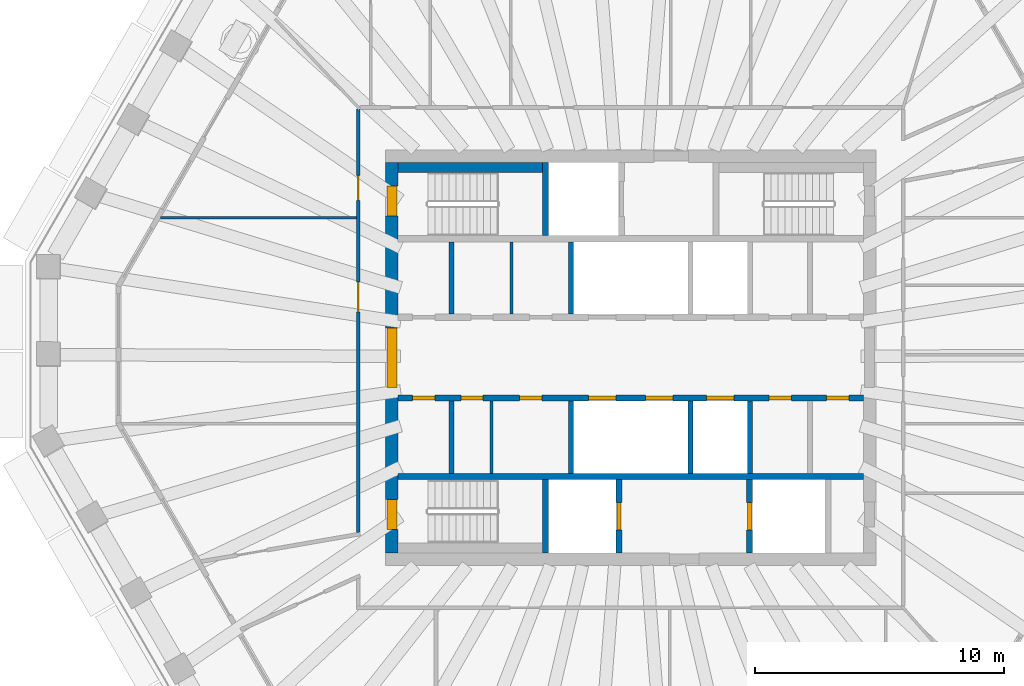
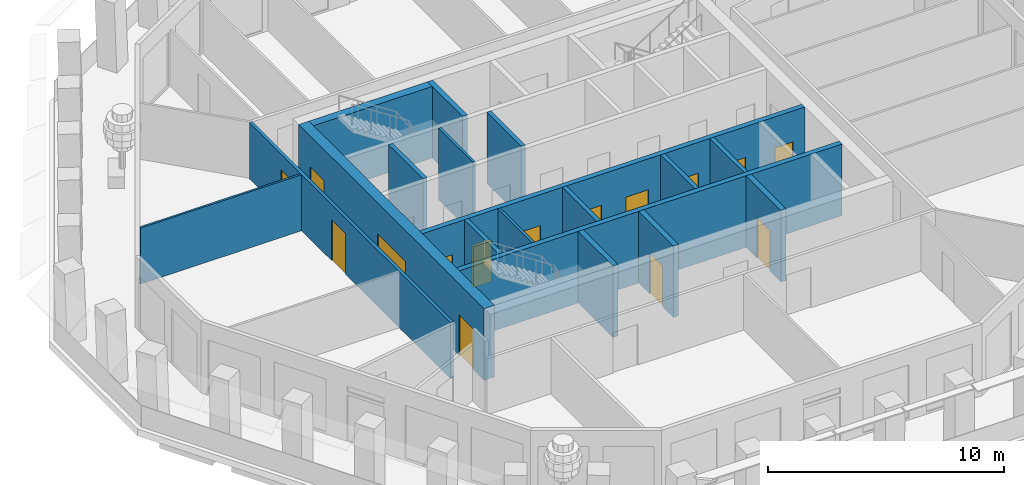
# One storey, part 4 of 12: 18 walls, 15 doors, 15 openings.
"""IFC4 building model written with IfcOpenShell, lengths in metres."""

from ifc_helpers import new_model, si_unit, direction, frame, frame_2d, origin, place, context, subcontext, project, spatial, rectangle, extrude, material, layer, layer_set, type_object, element, fill, save


model = new_model("IFC4")

# Units and contexts
model_context = context("Model", 3, precision=1e-05, world=origin(), true_north=direction((0.0, 1.0)))
body_context = subcontext(model_context, "Body", "Model", "MODEL_VIEW")
ifc_project = project(units=[si_unit("LENGTHUNIT", "METRE"), si_unit("AREAUNIT", "SQUARE_METRE"), si_unit("VOLUMEUNIT", "CUBIC_METRE"), si_unit("PLANEANGLEUNIT", "RADIAN"), si_unit("MASSUNIT", "GRAM", prefix="KILO")], contexts=[model_context])

# Site, building, storey
site_placement = place(None, origin())
site = spatial("IfcSite", under=ifc_project, at=site_placement, CompositionType="ELEMENT")
building_placement = place(site_placement, origin())
building = spatial("IfcBuilding", under=site, at=building_placement, Name="Frailejon Research Tower", CompositionType="ELEMENT")
storey_placement = place(building_placement, frame((0.0, 0.0, 267.0)))
storey = spatial("IfcBuildingStorey", under=building, at=storey_placement, Name="L58", CompositionType="ELEMENT", Elevation=267.0)

# Walls
ifc_material_1 = material(Name="Plasterboard on steel studs", Category="steel")
ifc_layer_1 = layer(ifc_material_1, 0.125)
ifc_layer_set_1 = layer_set([ifc_layer_1], Name="Core partition 125")
wall_type_1 = type_object("IfcWallType", Name="Core partition 125", PredefinedType="PARTITIONING", material=ifc_layer_set_1)
for number, where, z_axis, x_axis, name in (
    (1, (-4.800048828125, 1.75, 0.0), (0.0, 0.0, 1.0), (0.0, 1.0, 0.0), "Core partition"),
    (2, (-5.60009765625, -4.64990234375, 0.0), (0.0, 0.0, 1.0), (0.0, 1.0, 0.0), "Core partition"),
):
    element("IfcWall", number, at=place(storey_placement, frame(where, z_axis=z_axis, x_axis=x_axis)), inside=storey, type_object=wall_type_1, Name=name, PredefinedType="PARTITIONING", context=body_context, shape_type="SweptSolid", body=[
        extrude(rectangle(XDim=2.89990234375, YDim=0.125, at=frame_2d((1.449951171875, 0.0))), origin(), (0.0, 0.0, 1.0), 3.699951171875),
    ])

# Wall, openings, doors
ifc_material_2 = material(Name="Concrete C50/60", Category="concrete")
ifc_layer_2 = layer(ifc_material_2, 0.5)
ifc_layer_set_2 = layer_set([ifc_layer_2], Name="Core shear wall 500 C50/60")
wall_type_2 = type_object("IfcWallType", Name="Core shear wall 500 C50/60", PredefinedType="SHEAR", material=ifc_layer_set_2)
wall_1_placement = place(storey_placement, frame((-9.60009765625, -7.85009765625, 0.0), z_axis=(0.0, 0.0, 1.0), x_axis=(0.0, 1.0, 0.0)))
wall_1 = element("IfcWall", 3, at=wall_1_placement, inside=storey, type_object=wall_type_2, Name="Core shear wall", PredefinedType="SHEAR", context=body_context, shape_type="SweptSolid", body=[
    extrude(rectangle(XDim=15.7001953125, YDim=0.5, at=frame_2d((7.85009765625, 0.0))), origin(), (0.0, 0.0, 1.0), 3.699951171875),
])
opening_1_placement = place(wall_1_placement, frame((6.64990234375, 0.0, 0.0)))
opening_1 = element("IfcOpeningElement", 4, at=opening_1_placement, cuts=wall_1, Name="Opening D2", PredefinedType="OPENING", context=body_context, shape_type="SweptSolid", body=[
    extrude(rectangle(XDim=2.39990234375, YDim=2.10009765625, at=frame_2d((1.199951171875, 1.050048828125))), frame((0.0, 0.260009765625, 0.0), z_axis=(0.0, -1.0, 0.0), x_axis=(1.0, 0.0, 0.0)), (0.0, 0.0, 1.0), 0.52001953125),
])
opening_2_placement = place(wall_1_placement, frame((13.550048828125, 0.0, 0.0)))
opening_2 = element("IfcOpeningElement", 5, at=opening_2_placement, cuts=wall_1, Name="Opening D1", PredefinedType="OPENING", context=body_context, shape_type="SweptSolid", body=[
    extrude(rectangle(XDim=1.199951171875, YDim=2.10009765625, at=frame_2d((0.60009765625, 1.050048828125))), frame((0.0, 0.260009765625, 0.0), z_axis=(0.0, -1.0, 0.0), x_axis=(1.0, 0.0, 0.0)), (0.0, 0.0, 1.0), 0.52001953125),
])
opening_3_placement = place(wall_1_placement, frame((0.949951171875, 0.0, 0.0)))
opening_3 = element("IfcOpeningElement", 6, at=opening_3_placement, cuts=wall_1, Name="Opening D1", PredefinedType="OPENING", context=body_context, shape_type="SweptSolid", body=[
    extrude(rectangle(XDim=1.199951171875, YDim=2.10009765625, at=frame_2d((0.60009765625, 1.050048828125))), frame((0.0, 0.260009765625, 0.0), z_axis=(0.0, -1.0, 0.0), x_axis=(1.0, 0.0, 0.0)), (0.0, 0.0, 1.0), 0.52001953125),
])
ifc_material_3 = material(Name="Steel", Category="steel")
door_type_1 = type_object("IfcDoorType", Name="Lobby double door", OperationType="DOUBLE_DOOR_SINGLE_SWING", PredefinedType="DOOR", material=ifc_material_3)
door_1_placement = place(opening_1_placement, origin())
door_1 = element("IfcDoor", 7, at=door_1_placement, inside=storey, type_object=door_type_1, Name="Lobby door", OperationType="DOUBLE_DOOR_SINGLE_SWING", OverallHeight=2.10009765625, OverallWidth=2.39990234375, PredefinedType="DOOR", context=body_context, shape_type="SweptSolid", body=[
    extrude(rectangle(XDim=2.39990234375, YDim=2.10009765625, at=frame_2d((1.199951171875, 1.050048828125))), frame((0.0, 0.199951171875, 0.0), z_axis=(0.0, -1.0, 0.0), x_axis=(1.0, 0.0, 0.0)), (0.0, 0.0, 1.0), 0.39990234375),
])
fill(opening_1, door_1)
ifc_material_4 = material(Name="Steel", Category="steel")
door_type_2 = type_object("IfcDoorType", Name="Stair door", OperationType="SINGLE_SWING_LEFT", PredefinedType="DOOR", material=ifc_material_4)
door_2_placement = place(opening_2_placement, origin())
door_2 = element("IfcDoor", 8, at=door_2_placement, inside=storey, type_object=door_type_2, Name="Stair door ST1", OperationType="SINGLE_SWING_RIGHT", OverallHeight=2.10009765625, OverallWidth=1.199951171875, PredefinedType="DOOR", context=body_context, shape_type="SweptSolid", body=[
    extrude(rectangle(XDim=1.199951171875, YDim=2.10009765625, at=frame_2d((0.60009765625, 1.050048828125))), frame((0.0, 0.199951171875, 0.0), z_axis=(0.0, -1.0, 0.0), x_axis=(1.0, 0.0, 0.0)), (0.0, 0.0, 1.0), 0.39990234375),
])
fill(opening_2, door_2)
door_3_placement = place(opening_3_placement, origin())
door_3 = element("IfcDoor", 9, at=door_3_placement, inside=storey, type_object=door_type_2, Name="Stair door ST2", OperationType="SINGLE_SWING_LEFT", OverallHeight=2.10009765625, OverallWidth=1.199951171875, PredefinedType="DOOR", context=body_context, shape_type="SweptSolid", body=[
    extrude(rectangle(XDim=1.199951171875, YDim=2.10009765625, at=frame_2d((0.60009765625, 1.050048828125))), frame((0.0, 0.199951171875, 0.0), z_axis=(0.0, -1.0, 0.0), x_axis=(1.0, 0.0, 0.0)), (0.0, 0.0, 1.0), 0.39990234375),
])
fill(opening_3, door_3)

ifc_material_5 = material(Name="Gypsum board and masonry partition", Category="masonry")
ifc_layer_3 = layer(ifc_material_5, 0.14990234375)
ifc_layer_set_3 = layer_set([ifc_layer_3], Name="Corridor wall EI 60, gypsum on steel studs 150")
wall_type_3 = type_object("IfcWallType", Name="Corridor wall EI 60, gypsum on steel studs 150", PredefinedType="PARTITIONING", material=ifc_layer_set_3)
wall_2_placement = place(storey_placement, frame((-10.949951171875, -7.02490234375, 0.0), z_axis=(0.0, 0.0, 1.0), x_axis=(0.0, 1.0, 0.0)))
wall_2 = element("IfcWall", 10, at=wall_2_placement, inside=storey, type_object=wall_type_3, Name="T:IW:L58:007", PredefinedType="PARTITIONING", context=body_context, shape_type="SweptSolid", body=[
    extrude(rectangle(XDim=17.02490234375, YDim=0.14990234375, at=frame_2d((8.512451171875, 0.0))), origin(), (0.0, 0.0, 1.0), 2.89990234375),
])
opening_4_placement = place(wall_2_placement, frame((13.347412109375, 0.0, 0.0)))
opening_4 = element("IfcOpeningElement", 11, at=opening_4_placement, cuts=wall_2, Name="Opening D2121", PredefinedType="OPENING", context=body_context, shape_type="SweptSolid", body=[
    extrude(rectangle(XDim=1.0, YDim=2.10009765625, at=frame_2d((0.5, 1.050048828125))), frame((0.0, 0.0849609375, 0.0), z_axis=(0.0, -1.0, 0.0), x_axis=(1.0, 0.0, 0.0)), (0.0, 0.0, 1.0), 0.169921875),
])
opening_5_placement = place(wall_2_placement, frame((8.863037109375, 0.0, 0.0)))
opening_5 = element("IfcOpeningElement", 12, at=opening_5_placement, cuts=wall_2, Name="Opening D2122", PredefinedType="OPENING", context=body_context, shape_type="SweptSolid", body=[
    extrude(rectangle(XDim=1.199951171875, YDim=2.10009765625, at=frame_2d((0.60009765625, 1.050048828125))), frame((0.0, 0.0849609375, 0.0), z_axis=(0.0, -1.0, 0.0), x_axis=(1.0, 0.0, 0.0)), (0.0, 0.0, 1.0), 0.169921875),
])
ifc_material_6 = material(Name="Timber door leaf", Category="wood")
door_type_3 = type_object("IfcDoorType", Name="Door single leaf, timber, steel frame 1000", OperationType="NOTDEFINED", PredefinedType="DOOR", material=ifc_material_6)
door_4_placement = place(opening_4_placement, origin())
door_4 = element("IfcDoor", 13, at=door_4_placement, inside=storey, type_object=door_type_3, Name="D2121", OperationType="SINGLE_SWING_LEFT", OverallHeight=2.10009765625, OverallWidth=1.0, PredefinedType="DOOR", context=body_context, shape_type="SweptSolid", body=[
    extrude(rectangle(XDim=1.0, YDim=2.10009765625, at=frame_2d((0.5, 1.050048828125))), frame((0.0, 0.02490234375, 0.0), z_axis=(0.0, -1.0, 0.0), x_axis=(1.0, 0.0, 0.0)), (0.0, 0.0, 1.0), 0.050048828125),
])
fill(opening_4, door_4)
ifc_material_7 = material(Name="Timber door leaf", Category="wood")
door_type_4 = type_object("IfcDoorType", Name="Door single leaf, timber, steel frame 1200", OperationType="NOTDEFINED", PredefinedType="DOOR", material=ifc_material_7)
door_5_placement = place(opening_5_placement, origin())
door_5 = element("IfcDoor", 14, at=door_5_placement, inside=storey, type_object=door_type_4, Name="D2122", OperationType="DOUBLE_DOOR_SINGLE_SWING", OverallHeight=2.10009765625, OverallWidth=1.199951171875, PredefinedType="DOOR", context=body_context, shape_type="SweptSolid", body=[
    extrude(rectangle(XDim=1.199951171875, YDim=2.10009765625, at=frame_2d((0.60009765625, 1.050048828125))), frame((0.0, 0.02490234375, 0.0), z_axis=(0.0, -1.0, 0.0), x_axis=(1.0, 0.0, 0.0)), (0.0, 0.0, 1.0), 0.050048828125),
])
fill(opening_5, door_5)

# Walls
ifc_material_8 = material(Name="Gypsum board and masonry partition", Category="masonry")
ifc_layer_4 = layer(ifc_material_8, 0.10009765625)
ifc_layer_set_4 = layer_set([ifc_layer_4], Name="Partition, gypsum on steel studs 100")
wall_type_4 = type_object("IfcWallType", Name="Partition, gypsum on steel studs 100", PredefinedType="PARTITIONING", material=ifc_layer_set_4)
wall_3_placement = place(storey_placement, frame((-18.898681640625, 5.61767578125, 0.0), z_axis=(0.0, 0.0, 1.0), x_axis=(1.0, 0.0, 0.0)))
element("IfcWall", 15, at=wall_3_placement, inside=storey, type_object=wall_type_4, Name="T:IW:L58:014", PredefinedType="PARTITIONING", context=body_context, shape_type="SweptSolid", body=[
    extrude(rectangle(XDim=7.873779296875, YDim=0.10009765625, at=frame_2d((3.93701171875, 0.0))), origin(), (0.0, 0.0, 1.0), 2.89990234375),
])
ifc_material_9 = material(Name="Concrete C50/60", Category="concrete")
ifc_layer_5 = layer(ifc_material_9, 0.199951171875)
ifc_layer_set_5 = layer_set([ifc_layer_5], Name="Shaft wall 200 C50/60")
wall_type_5 = type_object("IfcWallType", Name="Shaft wall 200 C50/60", PredefinedType="SOLIDWALL", material=ifc_layer_set_5)
for number, where, z_axis, x_axis, name in (
    (16, (-7.199951171875, 1.75, 0.0), (0.0, 0.0, 1.0), (0.0, 1.0, 0.0), "Shaft wall"),
    (17, (-2.39990234375, 1.75, 0.0), (0.0, 0.0, 1.0), (0.0, 1.0, 0.0), "Shaft wall"),
    (18, (-7.199951171875, -4.64990234375, 0.0), (0.0, 0.0, 1.0), (0.0, 1.0, 0.0), "Shaft wall"),
    (19, (-2.39990234375, -4.64990234375, 0.0), (0.0, 0.0, 1.0), (0.0, 1.0, 0.0), "Shaft wall"),
    (20, (2.39990234375, -4.64990234375, 0.0), (0.0, 0.0, 1.0), (0.0, 1.0, 0.0), "Shaft wall"),
    (21, (4.800048828125, -4.64990234375, 0.0), (0.0, 0.0, 1.0), (0.0, 1.0, 0.0), "Shaft wall"),
):
    element("IfcWall", number, at=place(storey_placement, frame(where, z_axis=z_axis, x_axis=x_axis)), inside=storey, type_object=wall_type_5, Name=name, PredefinedType="SOLIDWALL", context=body_context, shape_type="SweptSolid", body=[
        extrude(rectangle(XDim=2.89990234375, YDim=0.199951171875, at=frame_2d((1.449951171875, 0.0))), origin(), (0.0, 0.0, 1.0), 3.699951171875),
    ])

# Wall, openings, doors
ifc_material_10 = material(Name="Concrete C50/60", Category="concrete")
ifc_layer_6 = layer(ifc_material_10, 0.25)
ifc_layer_set_6 = layer_set([ifc_layer_6], Name="Shaft wall 250 C50/60")
wall_type_6 = type_object("IfcWallType", Name="Shaft wall 250 C50/60", PredefinedType="SOLIDWALL", material=ifc_layer_set_6)
wall_4_placement = place(storey_placement, frame((-9.35009765625, -1.625, 0.0), z_axis=(0.0, 0.0, 1.0), x_axis=(1.0, 0.0, 0.0)))
wall_4 = element("IfcWall", 22, at=wall_4_placement, inside=storey, type_object=wall_type_6, Name="Shaft wall", PredefinedType="SOLIDWALL", context=body_context, shape_type="SweptSolid", body=[
    extrude(rectangle(XDim=18.7001953125, YDim=0.25, at=frame_2d((9.35009765625, 0.0))), origin(), (0.0, 0.0, 1.0), 3.699951171875),
])
opening_6_placement = place(wall_4_placement, frame((7.64990234375, 0.0, 0.0)))
opening_6 = element("IfcOpeningElement", 23, at=opening_6_placement, cuts=wall_4, Name="Opening LD", PredefinedType="OPENING", context=body_context, shape_type="SweptSolid", body=[
    extrude(rectangle(XDim=1.10009765625, YDim=2.10009765625, at=frame_2d((0.550048828125, 1.050048828125))), frame((0.0, 0.135009765625, 0.0), z_axis=(0.0, -1.0, 0.0), x_axis=(1.0, 0.0, 0.0)), (0.0, 0.0, 1.0), 0.27001953125),
])
opening_7_placement = place(wall_4_placement, frame((9.949951171875, 0.0, 0.0)))
opening_7 = element("IfcOpeningElement", 24, at=opening_7_placement, cuts=wall_4, Name="Opening LD", PredefinedType="OPENING", context=body_context, shape_type="SweptSolid", body=[
    extrude(rectangle(XDim=1.10009765625, YDim=2.10009765625, at=frame_2d((0.550048828125, 1.050048828125))), frame((0.0, 0.135009765625, 0.0), z_axis=(0.0, -1.0, 0.0), x_axis=(1.0, 0.0, 0.0)), (0.0, 0.0, 1.0), 0.27001953125),
])
opening_8_placement = place(wall_4_placement, frame((12.39990234375, 0.0, 0.0)))
opening_8 = element("IfcOpeningElement", 25, at=opening_8_placement, cuts=wall_4, Name="Opening LD", PredefinedType="OPENING", context=body_context, shape_type="SweptSolid", body=[
    extrude(rectangle(XDim=1.10009765625, YDim=2.10009765625, at=frame_2d((0.550048828125, 1.050048828125))), frame((0.0, 0.135009765625, 0.0), z_axis=(0.0, -1.0, 0.0), x_axis=(1.0, 0.0, 0.0)), (0.0, 0.0, 1.0), 0.27001953125),
])
opening_9_placement = place(wall_4_placement, frame((0.574951171875, 0.0, 0.0)))
opening_9 = element("IfcOpeningElement", 26, at=opening_9_placement, cuts=wall_4, Name="Opening D8", PredefinedType="OPENING", context=body_context, shape_type="SweptSolid", body=[
    extrude(rectangle(XDim=0.89990234375, YDim=2.10009765625, at=frame_2d((0.449951171875, 1.050048828125))), frame((0.0, 0.135009765625, 0.0), z_axis=(0.0, -1.0, 0.0), x_axis=(1.0, 0.0, 0.0)), (0.0, 0.0, 1.0), 0.27001953125),
])
opening_10_placement = place(wall_4_placement, frame((2.518798828125, 0.0, 0.0)))
opening_10 = element("IfcOpeningElement", 27, at=opening_10_placement, cuts=wall_4, Name="Opening D8", PredefinedType="OPENING", context=body_context, shape_type="SweptSolid", body=[
    extrude(rectangle(XDim=0.89990234375, YDim=2.10009765625, at=frame_2d((0.449951171875, 1.050048828125))), frame((0.0, 0.135009765625, 0.0), z_axis=(0.0, -1.0, 0.0), x_axis=(1.0, 0.0, 0.0)), (0.0, 0.0, 1.0), 0.27001953125),
])
opening_11_placement = place(wall_4_placement, frame((4.881103515625, 0.0, 0.0)))
opening_11 = element("IfcOpeningElement", 28, at=opening_11_placement, cuts=wall_4, Name="Opening D8", PredefinedType="OPENING", context=body_context, shape_type="SweptSolid", body=[
    extrude(rectangle(XDim=0.89990234375, YDim=2.10009765625, at=frame_2d((0.449951171875, 1.050048828125))), frame((0.0, 0.135009765625, 0.0), z_axis=(0.0, -1.0, 0.0), x_axis=(1.0, 0.0, 0.0)), (0.0, 0.0, 1.0), 0.27001953125),
])
opening_12_placement = place(wall_4_placement, frame((14.89990234375, 0.0, 0.0)))
opening_12 = element("IfcOpeningElement", 29, at=opening_12_placement, cuts=wall_4, Name="Opening D8", PredefinedType="OPENING", context=body_context, shape_type="SweptSolid", body=[
    extrude(rectangle(XDim=0.89990234375, YDim=2.10009765625, at=frame_2d((0.449951171875, 1.050048828125))), frame((0.0, 0.135009765625, 0.0), z_axis=(0.0, -1.0, 0.0), x_axis=(1.0, 0.0, 0.0)), (0.0, 0.0, 1.0), 0.27001953125),
])
opening_13_placement = place(wall_4_placement, frame((17.22509765625, 0.0, 0.0)))
opening_13 = element("IfcOpeningElement", 30, at=opening_13_placement, cuts=wall_4, Name="Opening D8", PredefinedType="OPENING", context=body_context, shape_type="SweptSolid", body=[
    extrude(rectangle(XDim=0.89990234375, YDim=2.10009765625, at=frame_2d((0.449951171875, 1.050048828125))), frame((0.0, 0.135009765625, 0.0), z_axis=(0.0, -1.0, 0.0), x_axis=(1.0, 0.0, 0.0)), (0.0, 0.0, 1.0), 0.27001953125),
])
ifc_material_11 = material(Name="Steel", Category="steel")
door_type_5 = type_object("IfcDoorType", Name="Core room door", OperationType="SINGLE_SWING_LEFT", PredefinedType="DOOR", material=ifc_material_11)
door_6_placement = place(opening_9_placement, origin())
door_6 = element("IfcDoor", 31, at=door_6_placement, inside=storey, type_object=door_type_5, Name="Room door", OperationType="SINGLE_SWING_LEFT", OverallHeight=2.10009765625, OverallWidth=0.89990234375, PredefinedType="DOOR", context=body_context, shape_type="SweptSolid", body=[
    extrude(rectangle(XDim=0.89990234375, YDim=2.10009765625, at=frame_2d((0.449951171875, 1.050048828125))), frame((0.0, 0.074951171875, 0.0), z_axis=(0.0, -1.0, 0.0), x_axis=(1.0, 0.0, 0.0)), (0.0, 0.0, 1.0), 0.14990234375),
])
fill(opening_9, door_6)
door_7_placement = place(opening_10_placement, origin())
door_7 = element("IfcDoor", 32, at=door_7_placement, inside=storey, type_object=door_type_5, Name="Room door", OperationType="SINGLE_SWING_RIGHT", OverallHeight=2.10009765625, OverallWidth=0.89990234375, PredefinedType="DOOR", context=body_context, shape_type="SweptSolid", body=[
    extrude(rectangle(XDim=0.89990234375, YDim=2.10009765625, at=frame_2d((0.449951171875, 1.050048828125))), frame((0.0, 0.074951171875, 0.0), z_axis=(0.0, -1.0, 0.0), x_axis=(1.0, 0.0, 0.0)), (0.0, 0.0, 1.0), 0.14990234375),
])
fill(opening_10, door_7)
door_8_placement = place(opening_11_placement, origin())
door_8 = element("IfcDoor", 33, at=door_8_placement, inside=storey, type_object=door_type_5, Name="Room door", OperationType="SINGLE_SWING_LEFT", OverallHeight=2.10009765625, OverallWidth=0.89990234375, PredefinedType="DOOR", context=body_context, shape_type="SweptSolid", body=[
    extrude(rectangle(XDim=0.89990234375, YDim=2.10009765625, at=frame_2d((0.449951171875, 1.050048828125))), frame((0.0, 0.074951171875, 0.0), z_axis=(0.0, -1.0, 0.0), x_axis=(1.0, 0.0, 0.0)), (0.0, 0.0, 1.0), 0.14990234375),
])
fill(opening_11, door_8)
door_9_placement = place(opening_12_placement, origin())
door_9 = element("IfcDoor", 34, at=door_9_placement, inside=storey, type_object=door_type_5, Name="Room door", OperationType="SINGLE_SWING_RIGHT", OverallHeight=2.10009765625, OverallWidth=0.89990234375, PredefinedType="DOOR", context=body_context, shape_type="SweptSolid", body=[
    extrude(rectangle(XDim=0.89990234375, YDim=2.10009765625, at=frame_2d((0.449951171875, 1.050048828125))), frame((0.0, 0.074951171875, 0.0), z_axis=(0.0, -1.0, 0.0), x_axis=(1.0, 0.0, 0.0)), (0.0, 0.0, 1.0), 0.14990234375),
])
fill(opening_12, door_9)
door_10_placement = place(opening_13_placement, origin())
door_10 = element("IfcDoor", 35, at=door_10_placement, inside=storey, type_object=door_type_5, Name="Room door", OperationType="SINGLE_SWING_LEFT", OverallHeight=2.10009765625, OverallWidth=0.89990234375, PredefinedType="DOOR", context=body_context, shape_type="SweptSolid", body=[
    extrude(rectangle(XDim=0.89990234375, YDim=2.10009765625, at=frame_2d((0.449951171875, 1.050048828125))), frame((0.0, 0.074951171875, 0.0), z_axis=(0.0, -1.0, 0.0), x_axis=(1.0, 0.0, 0.0)), (0.0, 0.0, 1.0), 0.14990234375),
])
fill(opening_13, door_10)
ifc_material_12 = material(Name="Steel", Category="steel")
door_type_6 = type_object("IfcDoorType", Name="Lift landing door", OperationType="DOUBLE_DOOR_SLIDING", PredefinedType="DOOR", material=ifc_material_12)
door_11_placement = place(opening_6_placement, origin())
door_11 = element("IfcDoor", 36, at=door_11_placement, inside=storey, type_object=door_type_6, Name="Lift landing door", OperationType="DOUBLE_DOOR_SLIDING", OverallHeight=2.10009765625, OverallWidth=1.10009765625, PredefinedType="DOOR", context=body_context, shape_type="SweptSolid", body=[
    extrude(rectangle(XDim=1.10009765625, YDim=2.10009765625, at=frame_2d((0.550048828125, 1.050048828125))), frame((0.0, 0.074951171875, 0.0), z_axis=(0.0, -1.0, 0.0), x_axis=(1.0, 0.0, 0.0)), (0.0, 0.0, 1.0), 0.14990234375),
])
fill(opening_6, door_11)
door_12_placement = place(opening_7_placement, origin())
door_12 = element("IfcDoor", 37, at=door_12_placement, inside=storey, type_object=door_type_6, Name="Lift landing door", OperationType="DOUBLE_DOOR_SLIDING", OverallHeight=2.10009765625, OverallWidth=1.10009765625, PredefinedType="DOOR", context=body_context, shape_type="SweptSolid", body=[
    extrude(rectangle(XDim=1.10009765625, YDim=2.10009765625, at=frame_2d((0.550048828125, 1.050048828125))), frame((0.0, 0.074951171875, 0.0), z_axis=(0.0, -1.0, 0.0), x_axis=(1.0, 0.0, 0.0)), (0.0, 0.0, 1.0), 0.14990234375),
])
fill(opening_7, door_12)
door_13_placement = place(opening_8_placement, origin())
door_13 = element("IfcDoor", 38, at=door_13_placement, inside=storey, type_object=door_type_6, Name="Lift landing door", OperationType="DOUBLE_DOOR_SLIDING", OverallHeight=2.10009765625, OverallWidth=1.10009765625, PredefinedType="DOOR", context=body_context, shape_type="SweptSolid", body=[
    extrude(rectangle(XDim=1.10009765625, YDim=2.10009765625, at=frame_2d((0.550048828125, 1.050048828125))), frame((0.0, 0.074951171875, 0.0), z_axis=(0.0, -1.0, 0.0), x_axis=(1.0, 0.0, 0.0)), (0.0, 0.0, 1.0), 0.14990234375),
])
fill(opening_8, door_13)

# Walls
wall_5_placement = place(storey_placement, frame((-9.35009765625, -4.77490234375, 0.0), z_axis=(0.0, 0.0, 1.0), x_axis=(1.0, 0.0, 0.0)))
element("IfcWall", 39, at=wall_5_placement, inside=storey, type_object=wall_type_6, Name="Shaft wall", PredefinedType="SOLIDWALL", context=body_context, shape_type="SweptSolid", body=[
    extrude(rectangle(XDim=18.7001953125, YDim=0.25, at=frame_2d((9.35009765625, 0.0))), origin(), (0.0, 0.0, 1.0), 3.699951171875),
])
for number, where, z_axis, x_axis, name in (
    (40, (-3.425048828125, 4.89990234375, 0.0), (0.0, 0.0, 1.0), (0.0, 1.0, 0.0), "Shaft wall"),
    (41, (-3.425048828125, -7.85009765625, 0.0), (0.0, 0.0, 1.0), (0.0, 1.0, 0.0), "Shaft wall"),
):
    element("IfcWall", number, at=place(storey_placement, frame(where, z_axis=z_axis, x_axis=x_axis)), inside=storey, type_object=wall_type_6, Name=name, PredefinedType="SOLIDWALL", context=body_context, shape_type="SweptSolid", body=[
        extrude(rectangle(XDim=2.9501953125, YDim=0.25, at=frame_2d((1.47509765625, 0.0))), origin(), (0.0, 0.0, 1.0), 3.699951171875),
    ])

# Wall, opening, door
wall_6_placement = place(storey_placement, frame((-0.47509765625, -7.85009765625, 0.0), z_axis=(0.0, 0.0, 1.0), x_axis=(0.0, 1.0, 0.0)))
wall_6 = element("IfcWall", 42, at=wall_6_placement, inside=storey, type_object=wall_type_6, Name="Shaft wall", PredefinedType="SOLIDWALL", context=body_context, shape_type="SweptSolid", body=[
    extrude(rectangle(XDim=2.9501953125, YDim=0.25, at=frame_2d((1.47509765625, 0.0))), origin(), (0.0, 0.0, 1.0), 3.699951171875),
])
opening_14_placement = place(wall_6_placement, frame((0.925048828125, 0.0, 0.0)))
opening_14 = element("IfcOpeningElement", 43, at=opening_14_placement, cuts=wall_6, Name="Opening LD", PredefinedType="OPENING", context=body_context, shape_type="SweptSolid", body=[
    extrude(rectangle(XDim=1.10009765625, YDim=2.10009765625, at=frame_2d((0.550048828125, 1.050048828125))), frame((0.0, 0.135009765625, 0.0), z_axis=(0.0, -1.0, 0.0), x_axis=(1.0, 0.0, 0.0)), (0.0, 0.0, 1.0), 0.27001953125),
])
door_14_placement = place(opening_14_placement, origin())
door_14 = element("IfcDoor", 44, at=door_14_placement, inside=storey, type_object=door_type_6, Name="Lift landing door", OperationType="DOUBLE_DOOR_SLIDING", OverallHeight=2.10009765625, OverallWidth=1.10009765625, PredefinedType="DOOR", context=body_context, shape_type="SweptSolid", body=[
    extrude(rectangle(XDim=1.10009765625, YDim=2.10009765625, at=frame_2d((0.550048828125, 1.050048828125))), frame((0.0, 0.074951171875, 0.0), z_axis=(0.0, -1.0, 0.0), x_axis=(1.0, 0.0, 0.0)), (0.0, 0.0, 1.0), 0.14990234375),
])
fill(opening_14, door_14)

wall_7_placement = place(storey_placement, frame((4.77490234375, -7.85009765625, 0.0), z_axis=(0.0, 0.0, 1.0), x_axis=(0.0, 1.0, 0.0)))
wall_7 = element("IfcWall", 45, at=wall_7_placement, inside=storey, type_object=wall_type_6, Name="Shaft wall", PredefinedType="SOLIDWALL", context=body_context, shape_type="SweptSolid", body=[
    extrude(rectangle(XDim=2.9501953125, YDim=0.25, at=frame_2d((1.47509765625, 0.0))), origin(), (0.0, 0.0, 1.0), 3.699951171875),
])
opening_15_placement = place(wall_7_placement, frame((0.925048828125, 0.0, 0.0)))
opening_15 = element("IfcOpeningElement", 46, at=opening_15_placement, cuts=wall_7, Name="Opening LD", PredefinedType="OPENING", context=body_context, shape_type="SweptSolid", body=[
    extrude(rectangle(XDim=1.10009765625, YDim=2.10009765625, at=frame_2d((0.550048828125, 1.050048828125))), frame((0.0, 0.135009765625, 0.0), z_axis=(0.0, -1.0, 0.0), x_axis=(1.0, 0.0, 0.0)), (0.0, 0.0, 1.0), 0.27001953125),
])
door_15_placement = place(opening_15_placement, origin())
door_15 = element("IfcDoor", 47, at=door_15_placement, inside=storey, type_object=door_type_6, Name="Lift landing door", OperationType="DOUBLE_DOOR_SLIDING", OverallHeight=2.10009765625, OverallWidth=1.10009765625, PredefinedType="DOOR", context=body_context, shape_type="SweptSolid", body=[
    extrude(rectangle(XDim=1.10009765625, YDim=2.10009765625, at=frame_2d((0.550048828125, 1.050048828125))), frame((0.0, 0.074951171875, 0.0), z_axis=(0.0, -1.0, 0.0), x_axis=(1.0, 0.0, 0.0)), (0.0, 0.0, 1.0), 0.14990234375),
])
fill(opening_15, door_15)

# Wall
ifc_material_13 = material(Name="Concrete C50/60", Category="concrete")
ifc_layer_7 = layer(ifc_material_13, 0.39990234375)
ifc_layer_set_7 = layer_set([ifc_layer_7], Name="Shaft wall 400 C50/60")
wall_type_7 = type_object("IfcWallType", Name="Shaft wall 400 C50/60", PredefinedType="SOLIDWALL", material=ifc_layer_set_7)
wall_8_placement = place(storey_placement, frame((-9.35009765625, 7.64990234375, 0.0), z_axis=(0.0, 0.0, 1.0), x_axis=(1.0, 0.0, 0.0)))
element("IfcWall", 48, at=wall_8_placement, inside=storey, type_object=wall_type_7, Name="Shaft wall", PredefinedType="SOLIDWALL", context=body_context, shape_type="SweptSolid", body=[
    extrude(rectangle(XDim=5.800048828125, YDim=0.39990234375, at=frame_2d((2.89990234375, 0.0))), origin(), (0.0, 0.0, 1.0), 3.699951171875),
])

save(model, "model.ifc")
